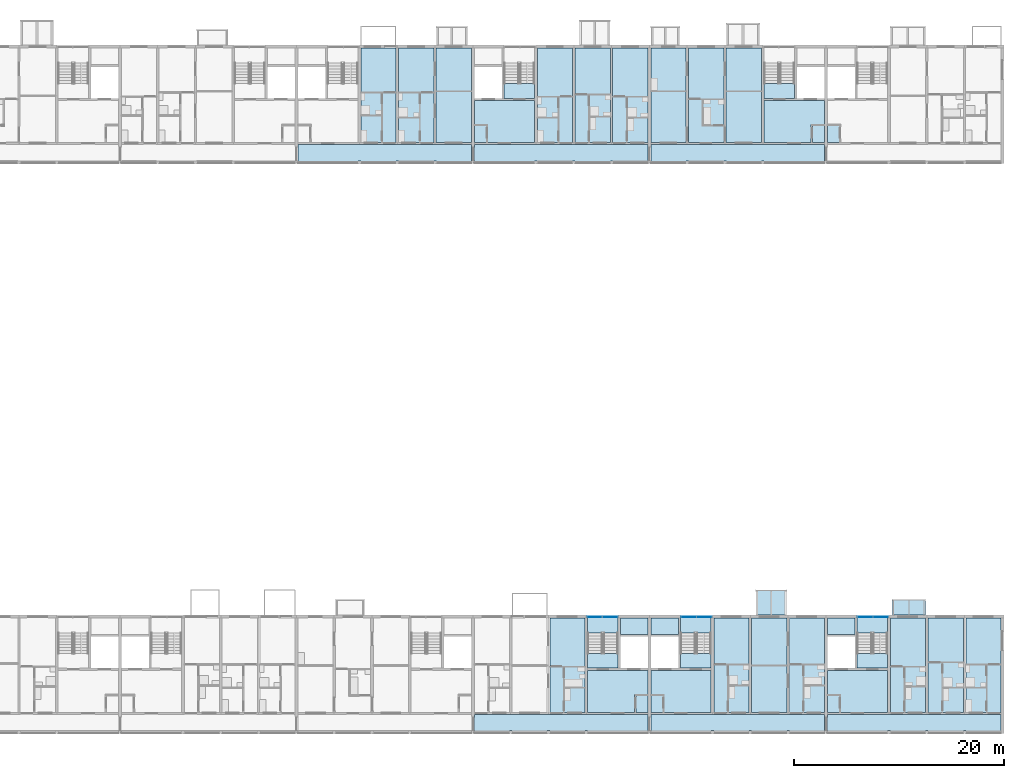
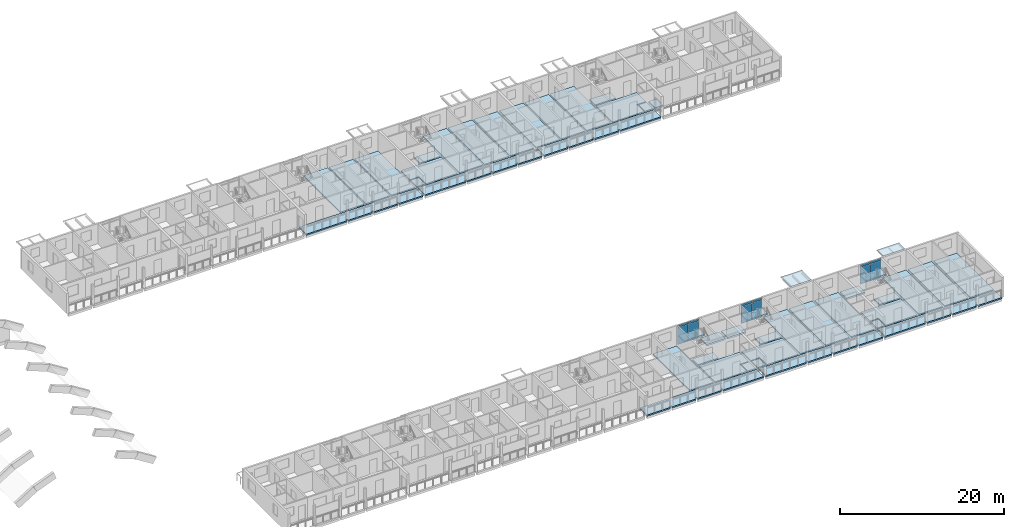
# One storey, part 26 of 99: 46 slabs, 12 plates, 6 elements without a shape of their own.
"""IFC4 building model written with IfcOpenShell, lengths in metres."""

from ifc_helpers import new_model, si_unit, direction, frame, origin, origin_2d, place, context, subcontext, project, spatial, polyline, rectangle, outline, extrude, material, layer, layer_set, type_object, element, aggregate, save


model = new_model("IFC4")

# Units and contexts
model_context = context("Model", 3, precision=1e-05, world=origin(), true_north=direction((0.0, 1.0)))
body_context = subcontext(model_context, "Body", "Model", "MODEL_VIEW")
ifc_project = project(units=[si_unit("LENGTHUNIT", "METRE"), si_unit("AREAUNIT", "SQUARE_METRE"), si_unit("VOLUMEUNIT", "CUBIC_METRE"), si_unit("PLANEANGLEUNIT", "RADIAN"), si_unit("MASSUNIT", "GRAM", prefix="KILO")], contexts=[model_context])

# Site, building, storey
site_placement = place(None, origin())
site = spatial("IfcSite", under=ifc_project, at=site_placement, CompositionType="ELEMENT")
building_placement = place(site_placement, origin())
building = spatial("IfcBuilding", under=site, at=building_placement, Name="Ridgestep Commons", CompositionType="ELEMENT")
storey_placement = place(building_placement, frame((0.0, 0.0, 15.0)))
storey = spatial("IfcBuildingStorey", under=building, at=storey_placement, Name="L05", CompositionType="ELEMENT", Elevation=15.0)

# Slabs
ifc_material_1 = material(Name="Precast concrete C40/50", Category="concrete")
ifc_layer_1 = layer(ifc_material_1, 0.199951171875)
ifc_layer_set_1 = layer_set([ifc_layer_1], Name="Gallery slab 200")
slab_type_1 = type_object("IfcSlabType", Name="Gallery slab 200", PredefinedType="FLOOR", material=ifc_layer_set_1)
slab_1_placement = place(storey_placement, frame((0.0, 0.0, -0.199951171875)))
element("IfcSlab", 1, at=slab_1_placement, inside=storey, type_object=slab_type_1, Name="Gallery slab C3 L05", PredefinedType="FLOOR", context=body_context, shape_type="SweptSolid", body=[
    extrude(outline(polyline([(197.050048828125, 67.800048828125), (180.550048828125, 67.800048828125), (180.550048828125, 66.0), (186.27490234375, 66.0), (186.27490234375, 66.25), (186.52490234375, 66.25), (186.52490234375, 66.0), (189.875, 66.0), (189.875, 66.25), (190.125, 66.25), (190.125, 66.0), (193.47509765625, 66.0), (193.47509765625, 66.25), (193.72509765625, 66.25), (193.72509765625, 66.0), (197.050048828125, 66.0), (197.050048828125, 67.800048828125)])), origin(), (0.0, 0.0, 1.0), 0.199951171875),
])
slab_2_placement = place(storey_placement, frame((0.0, 0.0, -0.199951171875)))
element("IfcSlab", 2, at=slab_2_placement, inside=storey, type_object=slab_type_1, Name="Gallery slab C4 L05", PredefinedType="FLOOR", context=body_context, shape_type="SweptSolid", body=[
    extrude(outline(polyline([(213.85009765625, 67.800048828125), (197.35009765625, 67.800048828125), (197.35009765625, 66.0), (203.074951171875, 66.0), (203.074951171875, 66.25), (203.324951171875, 66.25), (203.324951171875, 66.0), (206.675048828125, 66.0), (206.675048828125, 66.25), (206.925048828125, 66.25), (206.925048828125, 66.0), (210.27490234375, 66.0), (210.27490234375, 66.25), (210.52490234375, 66.25), (210.52490234375, 66.0), (213.85009765625, 66.0), (213.85009765625, 67.800048828125)])), origin(), (0.0, 0.0, 1.0), 0.199951171875),
])
slab_3_placement = place(storey_placement, frame((0.0, 0.0, -0.199951171875)))
element("IfcSlab", 3, at=slab_3_placement, inside=storey, type_object=slab_type_1, Name="Gallery slab C5 L05", PredefinedType="FLOOR", context=body_context, shape_type="SweptSolid", body=[
    extrude(outline(polyline([(230.64990234375, 67.800048828125), (214.14990234375, 67.800048828125), (214.14990234375, 66.0), (217.47509765625, 66.0), (217.47509765625, 66.25), (217.72509765625, 66.25), (217.72509765625, 66.0), (221.074951171875, 66.0), (221.074951171875, 66.25), (221.324951171875, 66.25), (221.324951171875, 66.0), (224.675048828125, 66.0), (224.675048828125, 66.25), (224.925048828125, 66.25), (224.925048828125, 66.0), (230.64990234375, 66.0), (230.64990234375, 67.800048828125)])), origin(), (0.0, 0.0, 1.0), 0.199951171875),
])
slab_4_placement = place(storey_placement, frame((0.0, 0.0, -0.199951171875)))
element("IfcSlab", 4, at=slab_4_placement, inside=storey, type_object=slab_type_1, Name="Gallery slab D4 L05", PredefinedType="FLOOR", context=body_context, shape_type="SweptSolid", body=[
    extrude(outline(polyline([(213.85009765625, 13.550048828125), (197.35009765625, 13.550048828125), (197.35009765625, 11.75), (200.675048828125, 11.75), (200.675048828125, 12.0), (200.925048828125, 12.0), (200.925048828125, 11.75), (204.27490234375, 11.75), (204.27490234375, 12.0), (204.52490234375, 12.0), (204.52490234375, 11.75), (207.875, 11.75), (207.875, 12.0), (208.125, 12.0), (208.125, 11.75), (213.85009765625, 11.75), (213.85009765625, 13.550048828125)])), origin(), (0.0, 0.0, 1.0), 0.199951171875),
])
slab_5_placement = place(storey_placement, frame((0.0, 0.0, -0.199951171875)))
element("IfcSlab", 5, at=slab_5_placement, inside=storey, type_object=slab_type_1, Name="Gallery slab D5 L05", PredefinedType="FLOOR", context=body_context, shape_type="SweptSolid", body=[
    extrude(outline(polyline([(230.64990234375, 13.550048828125), (214.14990234375, 13.550048828125), (214.14990234375, 11.75), (219.875, 11.75), (219.875, 12.0), (220.125, 12.0), (220.125, 11.75), (223.47509765625, 11.75), (223.47509765625, 12.0), (223.72509765625, 12.0), (223.72509765625, 11.75), (227.074951171875, 11.75), (227.074951171875, 12.0), (227.324951171875, 12.0), (227.324951171875, 11.75), (230.64990234375, 11.75), (230.64990234375, 13.550048828125)])), origin(), (0.0, 0.0, 1.0), 0.199951171875),
])
slab_6_placement = place(storey_placement, frame((0.0, 0.0, -0.199951171875)))
element("IfcSlab", 6, at=slab_6_placement, inside=storey, type_object=slab_type_1, Name="Gallery slab D6 L05", PredefinedType="FLOOR", context=body_context, shape_type="SweptSolid", body=[
    extrude(outline(polyline([(247.449951171875, 13.550048828125), (230.949951171875, 13.550048828125), (230.949951171875, 11.75), (236.675048828125, 11.75), (236.675048828125, 12.0), (236.925048828125, 12.0), (236.925048828125, 11.75), (240.27490234375, 11.75), (240.27490234375, 12.0), (240.52490234375, 12.0), (240.52490234375, 11.75), (243.875, 11.75), (243.875, 12.0), (244.125, 12.0), (244.125, 11.75), (247.449951171875, 11.75), (247.449951171875, 13.550048828125)])), origin(), (0.0, 0.0, 1.0), 0.199951171875),
])

# Curtain wall, plates
ifc_material_2 = material(Name="Aluminium 6063-T6 and glass", Category="aluminium")
curtain_wall_type = type_object("IfcCurtainWallType", Name="Curtain wall stair strip", PredefinedType="NOTDEFINED", material=ifc_material_2)
curtain_wall_1_placement = place(storey_placement, origin())
curtain_wall_1 = element("IfcCurtainWall", 7, at=curtain_wall_1_placement, inside=storey, type_object=curtain_wall_type, Name="Curtain wall D4C level 05", PredefinedType="NOTDEFINED")
ifc_material_3 = material(Name="Glass laminated 6/16/6 low-emissivity", Category="glass")
ifc_layer_2 = layer(ifc_material_3, 0.028076171875)
ifc_layer_set_2 = layer_set([ifc_layer_2], Name="Glazing panel 28")
plate_type_1 = type_object("IfcPlateType", Name="Glazing panel 28", PredefinedType="CURTAIN_PANEL", material=ifc_layer_set_2)
plate_1_placement = place(storey_placement, frame((208.771240234375, 22.830078125, 0.06005859375), z_axis=(0.0, 0.0, 1.0), x_axis=(1.0, 0.0, 0.0)))
plate_1 = element("IfcPlate", 8, at=plate_1_placement, type_object=plate_type_1, Name="CW1 panel 1.1", PredefinedType="CURTAIN_PANEL", context=body_context, shape_type="SweptSolid", body=[
    extrude(rectangle(XDim=1.422607421875, YDim=0.028076171875, at=origin_2d()), origin(), (0.0, 0.0, 1.0), 2.5),
])
plate_2_placement = place(storey_placement, frame((210.253662109375, 22.830078125, 0.06005859375), z_axis=(0.0, 0.0, 1.0), x_axis=(1.0, 0.0, 0.0)))
plate_2 = element("IfcPlate", 9, at=plate_2_placement, type_object=plate_type_1, Name="CW1 panel 2.1", PredefinedType="CURTAIN_PANEL", context=body_context, shape_type="SweptSolid", body=[
    extrude(rectangle(XDim=1.422607421875, YDim=0.028076171875, at=origin_2d()), origin(), (0.0, 0.0, 1.0), 2.5),
])

curtain_wall_2_placement = place(storey_placement, origin())
curtain_wall_2 = element("IfcCurtainWall", 10, at=curtain_wall_2_placement, inside=storey, type_object=curtain_wall_type, Name="Curtain wall D5C level 05", PredefinedType="NOTDEFINED")
plate_3_placement = place(storey_placement, frame((217.746337890625, 22.830078125, 0.06005859375), z_axis=(0.0, 0.0, 1.0), x_axis=(1.0, 0.0, 0.0)))
plate_3 = element("IfcPlate", 11, at=plate_3_placement, type_object=plate_type_1, Name="CW1 panel 1.1", PredefinedType="CURTAIN_PANEL", context=body_context, shape_type="SweptSolid", body=[
    extrude(rectangle(XDim=1.422607421875, YDim=0.028076171875, at=origin_2d()), origin(), (0.0, 0.0, 1.0), 2.5),
])
plate_4_placement = place(storey_placement, frame((219.228759765625, 22.830078125, 0.06005859375), z_axis=(0.0, 0.0, 1.0), x_axis=(1.0, 0.0, 0.0)))
plate_4 = element("IfcPlate", 12, at=plate_4_placement, type_object=plate_type_1, Name="CW1 panel 2.1", PredefinedType="CURTAIN_PANEL", context=body_context, shape_type="SweptSolid", body=[
    extrude(rectangle(XDim=1.422607421875, YDim=0.028076171875, at=origin_2d()), origin(), (0.0, 0.0, 1.0), 2.5),
])

curtain_wall_3_placement = place(storey_placement, origin())
curtain_wall_3 = element("IfcCurtainWall", 13, at=curtain_wall_3_placement, inside=storey, type_object=curtain_wall_type, Name="Curtain wall D6C level 05", PredefinedType="NOTDEFINED")
plate_5_placement = place(storey_placement, frame((234.546142578125, 22.830078125, 0.06005859375), z_axis=(0.0, 0.0, 1.0), x_axis=(1.0, 0.0, 0.0)))
plate_5 = element("IfcPlate", 14, at=plate_5_placement, type_object=plate_type_1, Name="CW1 panel 1.1", PredefinedType="CURTAIN_PANEL", context=body_context, shape_type="SweptSolid", body=[
    extrude(rectangle(XDim=1.422607421875, YDim=0.028076171875, at=origin_2d()), origin(), (0.0, 0.0, 1.0), 2.5),
])
plate_6_placement = place(storey_placement, frame((236.02880859375, 22.830078125, 0.06005859375), z_axis=(0.0, 0.0, 1.0), x_axis=(1.0, 0.0, 0.0)))
plate_6 = element("IfcPlate", 15, at=plate_6_placement, type_object=plate_type_1, Name="CW1 panel 2.1", PredefinedType="CURTAIN_PANEL", context=body_context, shape_type="SweptSolid", body=[
    extrude(rectangle(XDim=1.422607421875, YDim=0.028076171875, at=origin_2d()), origin(), (0.0, 0.0, 1.0), 2.5),
])

# Slabs
ifc_material_4 = material(Name="Precast concrete C50/60", Category="concrete")
ifc_layer_3 = layer(ifc_material_4, 0.199951171875)
ifc_layer_set_3 = layer_set([ifc_layer_3], Name="Hollow-core plank 200")
slab_type_2 = type_object("IfcSlabType", Name="Hollow-core plank 200", PredefinedType="FLOOR", material=ifc_layer_set_3)
slab_7_placement = place(storey_placement, frame((0.0, 0.0, -0.199951171875)))
element("IfcSlab", 16, at=slab_7_placement, inside=storey, type_object=slab_type_2, Name="Floor plank C3T3 L05", PredefinedType="FLOOR", context=body_context, shape_type="SweptSolid", body=[
    extrude(outline(polyline([(189.89990234375, 68.0), (189.89990234375, 77.0), (186.52490234375, 77.0), (186.52490234375, 68.0), (189.89990234375, 68.0)])), origin(), (0.0, 0.0, 1.0), 0.199951171875),
])
slab_8_placement = place(storey_placement, frame((0.0, 0.0, -0.199951171875)))
element("IfcSlab", 17, at=slab_8_placement, inside=storey, type_object=slab_type_2, Name="Floor plank C3T2 L05", PredefinedType="FLOOR", context=body_context, shape_type="SweptSolid", body=[
    extrude(outline(polyline([(193.5, 68.0), (193.5, 77.0), (190.10009765625, 77.0), (190.10009765625, 68.0), (193.5, 68.0)])), origin(), (0.0, 0.0, 1.0), 0.199951171875),
])
slab_9_placement = place(storey_placement, frame((0.0, 0.0, -0.199951171875)))
element("IfcSlab", 18, at=slab_9_placement, inside=storey, type_object=slab_type_2, Name="Floor plank C3T1 L05", PredefinedType="FLOOR", context=body_context, shape_type="SweptSolid", body=[
    extrude(outline(polyline([(197.050048828125, 68.0), (197.050048828125, 77.0), (193.699951171875, 77.0), (193.699951171875, 68.0), (197.050048828125, 68.0)])), origin(), (0.0, 0.0, 1.0), 0.199951171875),
])
slab_10_placement = place(storey_placement, frame((0.0, 0.0, -0.199951171875)))
element("IfcSlab", 19, at=slab_10_placement, inside=storey, type_object=slab_type_2, Name="Floor plank C4T3 L05", PredefinedType="FLOOR", context=body_context, shape_type="SweptSolid", body=[
    extrude(outline(polyline([(206.699951171875, 68.0), (206.699951171875, 77.0), (203.324951171875, 77.0), (203.324951171875, 68.0), (206.699951171875, 68.0)])), origin(), (0.0, 0.0, 1.0), 0.199951171875),
])
slab_11_placement = place(storey_placement, frame((0.0, 0.0, -0.199951171875)))
element("IfcSlab", 20, at=slab_11_placement, inside=storey, type_object=slab_type_2, Name="Floor plank C4T2 L05", PredefinedType="FLOOR", context=body_context, shape_type="SweptSolid", body=[
    extrude(outline(polyline([(210.300048828125, 68.0), (210.300048828125, 77.0), (206.89990234375, 77.0), (206.89990234375, 68.0), (210.300048828125, 68.0)])), origin(), (0.0, 0.0, 1.0), 0.199951171875),
])
slab_12_placement = place(storey_placement, frame((0.0, 0.0, -0.199951171875)))
element("IfcSlab", 21, at=slab_12_placement, inside=storey, type_object=slab_type_2, Name="Floor plank C4T1 L05", PredefinedType="FLOOR", context=body_context, shape_type="SweptSolid", body=[
    extrude(outline(polyline([(213.85009765625, 68.0), (213.85009765625, 77.0), (210.5, 77.0), (210.5, 68.0), (213.85009765625, 68.0)])), origin(), (0.0, 0.0, 1.0), 0.199951171875),
])
slab_13_placement = place(storey_placement, frame((0.0, 0.0, -0.199951171875)))
element("IfcSlab", 22, at=slab_13_placement, inside=storey, type_object=slab_type_2, Name="Floor plank C5T1 L05", PredefinedType="FLOOR", context=body_context, shape_type="SweptSolid", body=[
    extrude(outline(polyline([(217.5, 68.0), (217.5, 77.0), (214.14990234375, 77.0), (214.14990234375, 68.0), (217.5, 68.0)])), origin(), (0.0, 0.0, 1.0), 0.199951171875),
])
slab_14_placement = place(storey_placement, frame((0.0, 0.0, -0.199951171875)))
element("IfcSlab", 23, at=slab_14_placement, inside=storey, type_object=slab_type_2, Name="Floor plank C5T2 L05", PredefinedType="FLOOR", context=body_context, shape_type="SweptSolid", body=[
    extrude(outline(polyline([(221.10009765625, 68.0), (221.10009765625, 77.0), (217.699951171875, 77.0), (217.699951171875, 68.0), (221.10009765625, 68.0)])), origin(), (0.0, 0.0, 1.0), 0.199951171875),
])
slab_15_placement = place(storey_placement, frame((0.0, 0.0, -0.199951171875)))
element("IfcSlab", 24, at=slab_15_placement, inside=storey, type_object=slab_type_2, Name="Floor plank C5T3 L05", PredefinedType="FLOOR", context=body_context, shape_type="SweptSolid", body=[
    extrude(outline(polyline([(224.675048828125, 68.0), (224.675048828125, 77.0), (221.300048828125, 77.0), (221.300048828125, 68.0), (224.675048828125, 68.0)])), origin(), (0.0, 0.0, 1.0), 0.199951171875),
])
slab_16_placement = place(storey_placement, frame((0.0, 0.0, -0.199951171875)))
element("IfcSlab", 25, at=slab_16_placement, inside=storey, type_object=slab_type_2, Name="Floor plank D4T3 L05", PredefinedType="FLOOR", context=body_context, shape_type="SweptSolid", body=[
    extrude(outline(polyline([(207.875, 13.75), (207.875, 22.75), (204.52490234375, 22.75), (204.52490234375, 13.75), (207.875, 13.75)])), origin(), (0.0, 0.0, 1.0), 0.199951171875),
])
slab_17_placement = place(storey_placement, frame((0.0, 0.0, -0.199951171875)))
element("IfcSlab", 26, at=slab_17_placement, inside=storey, type_object=slab_type_2, Name="Floor plank D5T3 L05", PredefinedType="FLOOR", context=body_context, shape_type="SweptSolid", body=[
    extrude(outline(polyline([(223.47509765625, 13.75), (223.47509765625, 22.75), (220.125, 22.75), (220.125, 13.75), (223.47509765625, 13.75)])), origin(), (0.0, 0.0, 1.0), 0.199951171875),
])
slab_18_placement = place(storey_placement, frame((0.0, 0.0, -0.199951171875)))
element("IfcSlab", 27, at=slab_18_placement, inside=storey, type_object=slab_type_2, Name="Floor plank D5T2 L05", PredefinedType="FLOOR", context=body_context, shape_type="SweptSolid", body=[
    extrude(outline(polyline([(227.074951171875, 13.75), (227.074951171875, 22.75), (223.72509765625, 22.75), (223.72509765625, 13.75), (227.074951171875, 13.75)])), origin(), (0.0, 0.0, 1.0), 0.199951171875),
])
slab_19_placement = place(storey_placement, frame((0.0, 0.0, -0.199951171875)))
element("IfcSlab", 28, at=slab_19_placement, inside=storey, type_object=slab_type_2, Name="Floor plank D5T1 L05", PredefinedType="FLOOR", context=body_context, shape_type="SweptSolid", body=[
    extrude(outline(polyline([(230.64990234375, 13.75), (230.64990234375, 22.75), (227.324951171875, 22.75), (227.324951171875, 13.75), (230.64990234375, 13.75)])), origin(), (0.0, 0.0, 1.0), 0.199951171875),
])
slab_20_placement = place(storey_placement, frame((0.0, 0.0, -0.199951171875)))
element("IfcSlab", 29, at=slab_20_placement, inside=storey, type_object=slab_type_2, Name="Floor plank D6T3 L05", PredefinedType="FLOOR", context=body_context, shape_type="SweptSolid", body=[
    extrude(outline(polyline([(240.27490234375, 13.75), (240.27490234375, 22.75), (236.925048828125, 22.75), (236.925048828125, 13.75), (240.27490234375, 13.75)])), origin(), (0.0, 0.0, 1.0), 0.199951171875),
])
slab_21_placement = place(storey_placement, frame((0.0, 0.0, -0.199951171875)))
element("IfcSlab", 30, at=slab_21_placement, inside=storey, type_object=slab_type_2, Name="Floor plank D6T2 L05", PredefinedType="FLOOR", context=body_context, shape_type="SweptSolid", body=[
    extrude(outline(polyline([(243.875, 13.75), (243.875, 22.75), (240.52490234375, 22.75), (240.52490234375, 13.75), (243.875, 13.75)])), origin(), (0.0, 0.0, 1.0), 0.199951171875),
])
slab_22_placement = place(storey_placement, frame((0.0, 0.0, -0.199951171875)))
element("IfcSlab", 31, at=slab_22_placement, inside=storey, type_object=slab_type_2, Name="Floor plank D6T1 L05", PredefinedType="FLOOR", context=body_context, shape_type="SweptSolid", body=[
    extrude(outline(polyline([(247.449951171875, 13.75), (247.449951171875, 22.75), (244.125, 22.75), (244.125, 13.75), (247.449951171875, 13.75)])), origin(), (0.0, 0.0, 1.0), 0.199951171875),
])
ifc_material_5 = material(Name="Precast concrete C50/60", Category="concrete")
ifc_layer_4 = layer(ifc_material_5, 0.25)
ifc_layer_set_4 = layer_set([ifc_layer_4], Name="Hollow-core plank 250")
slab_type_3 = type_object("IfcSlabType", Name="Hollow-core plank 250", PredefinedType="FLOOR", material=ifc_layer_set_4)
slab_23_placement = place(storey_placement, frame((0.0, 0.0, -0.25)))
element("IfcSlab", 32, at=slab_23_placement, inside=storey, type_object=slab_type_3, Name="Floor plank C4C L05", PredefinedType="FLOOR", context=body_context, shape_type="SweptSolid", body=[
    extrude(outline(polyline([(198.60009765625, 68.0), (203.074951171875, 68.0), (203.074951171875, 72.0), (197.35009765625, 72.0), (197.35009765625, 69.719970703125), (198.47998046875, 69.719970703125), (198.60009765625, 69.719970703125), (198.60009765625, 68.0)])), origin(), (0.0, 0.0, 1.0), 0.25),
])
slab_24_placement = place(storey_placement, frame((0.0, 0.0, -0.25)))
element("IfcSlab", 33, at=slab_24_placement, inside=storey, type_object=slab_type_3, Name="Floor plank C4C L05", PredefinedType="FLOOR", context=body_context, shape_type="SweptSolid", body=[
    extrude(outline(polyline([(203.074951171875, 72.199951171875), (203.074951171875, 73.60009765625), (200.175048828125, 73.60009765625), (200.175048828125, 72.199951171875), (203.074951171875, 72.199951171875)])), origin(), (0.0, 0.0, 1.0), 0.25),
])
slab_25_placement = place(storey_placement, frame((0.0, 0.0, -0.25)))
element("IfcSlab", 34, at=slab_25_placement, inside=storey, type_object=slab_type_3, Name="Floor plank C4C L05", PredefinedType="FLOOR", context=body_context, shape_type="SweptSolid", body=[
    extrude(outline(polyline([(198.47998046875, 69.60009765625), (197.35009765625, 69.60009765625), (197.35009765625, 68.0), (198.47998046875, 68.0), (198.47998046875, 69.60009765625)])), origin(), (0.0, 0.0, 1.0), 0.25),
])
slab_26_placement = place(storey_placement, frame((0.0, 0.0, -0.25)))
element("IfcSlab", 35, at=slab_26_placement, inside=storey, type_object=slab_type_3, Name="Floor plank C5C L05", PredefinedType="FLOOR", context=body_context, shape_type="SweptSolid", body=[
    extrude(outline(polyline([(229.52001953125, 69.719970703125), (230.64990234375, 69.719970703125), (230.64990234375, 72.0), (224.925048828125, 72.0), (224.925048828125, 68.0), (229.39990234375, 68.0), (229.39990234375, 69.719970703125), (229.52001953125, 69.719970703125)])), origin(), (0.0, 0.0, 1.0), 0.25),
])
slab_27_placement = place(storey_placement, frame((0.0, 0.0, -0.25)))
element("IfcSlab", 36, at=slab_27_placement, inside=storey, type_object=slab_type_3, Name="Floor plank C5C L05", PredefinedType="FLOOR", context=body_context, shape_type="SweptSolid", body=[
    extrude(outline(polyline([(227.824951171875, 72.199951171875), (227.824951171875, 73.60009765625), (224.925048828125, 73.60009765625), (224.925048828125, 72.199951171875), (227.824951171875, 72.199951171875)])), origin(), (0.0, 0.0, 1.0), 0.25),
])
slab_28_placement = place(storey_placement, frame((0.0, 0.0, -0.25)))
element("IfcSlab", 37, at=slab_28_placement, inside=storey, type_object=slab_type_3, Name="Floor plank C5C L05", PredefinedType="FLOOR", context=body_context, shape_type="SweptSolid", body=[
    extrude(outline(polyline([(229.52001953125, 68.0), (230.64990234375, 68.0), (230.64990234375, 69.60009765625), (229.52001953125, 69.60009765625), (229.52001953125, 68.0)])), origin(), (0.0, 0.0, 1.0), 0.25),
])
slab_29_placement = place(storey_placement, frame((0.0, 0.0, -0.25)))
element("IfcSlab", 38, at=slab_29_placement, inside=storey, type_object=slab_type_3, Name="Floor plank C6C L05", PredefinedType="FLOOR", context=body_context, shape_type="SweptSolid", body=[
    extrude(outline(polyline([(232.080078125, 69.60009765625), (230.949951171875, 69.60009765625), (230.949951171875, 68.0), (232.080078125, 68.0), (232.080078125, 69.60009765625)])), origin(), (0.0, 0.0, 1.0), 0.25),
])
slab_30_placement = place(storey_placement, frame((0.0, 0.0, -0.25)))
element("IfcSlab", 39, at=slab_30_placement, inside=storey, type_object=slab_type_3, Name="Floor plank D4C L05", PredefinedType="FLOOR", context=body_context, shape_type="SweptSolid", body=[
    extrude(outline(polyline([(212.719970703125, 15.469970703125), (213.85009765625, 15.469970703125), (213.85009765625, 17.75), (208.125, 17.75), (208.125, 13.75), (212.60009765625, 13.75), (212.60009765625, 15.469970703125), (212.719970703125, 15.469970703125)])), origin(), (0.0, 0.0, 1.0), 0.25),
])
slab_31_placement = place(storey_placement, frame((0.0, 0.0, -0.25)))
element("IfcSlab", 40, at=slab_31_placement, inside=storey, type_object=slab_type_3, Name="Floor plank D4C L05", PredefinedType="FLOOR", context=body_context, shape_type="SweptSolid", body=[
    extrude(outline(polyline([(213.85009765625, 21.14990234375), (213.85009765625, 22.75), (211.22509765625, 22.75), (211.22509765625, 21.14990234375), (213.85009765625, 21.14990234375)])), origin(), (0.0, 0.0, 1.0), 0.25),
])
slab_32_placement = place(storey_placement, frame((0.0, 0.0, -0.25)))
element("IfcSlab", 41, at=slab_32_placement, inside=storey, type_object=slab_type_3, Name="Floor plank D4C L05", PredefinedType="FLOOR", context=body_context, shape_type="SweptSolid", body=[
    extrude(outline(polyline([(211.02490234375, 17.949951171875), (211.02490234375, 19.35009765625), (208.125, 19.35009765625), (208.125, 17.949951171875), (211.02490234375, 17.949951171875)])), origin(), (0.0, 0.0, 1.0), 0.25),
])
slab_33_placement = place(storey_placement, frame((0.0, 0.0, -0.25)))
element("IfcSlab", 42, at=slab_33_placement, inside=storey, type_object=slab_type_3, Name="Floor plank D4C L05", PredefinedType="FLOOR", context=body_context, shape_type="SweptSolid", body=[
    extrude(outline(polyline([(212.719970703125, 13.75), (213.85009765625, 13.75), (213.85009765625, 15.35009765625), (212.719970703125, 15.35009765625), (212.719970703125, 13.75)])), origin(), (0.0, 0.0, 1.0), 0.25),
])
slab_34_placement = place(storey_placement, frame((0.0, 0.0, -0.25)))
element("IfcSlab", 43, at=slab_34_placement, inside=storey, type_object=slab_type_3, Name="Floor plank D5C L05", PredefinedType="FLOOR", context=body_context, shape_type="SweptSolid", body=[
    extrude(outline(polyline([(215.39990234375, 13.75), (219.875, 13.75), (219.875, 17.75), (214.14990234375, 17.75), (214.14990234375, 15.469970703125), (215.280029296875, 15.469970703125), (215.39990234375, 15.469970703125), (215.39990234375, 13.75)])), origin(), (0.0, 0.0, 1.0), 0.25),
])
slab_35_placement = place(storey_placement, frame((0.0, 0.0, -0.25)))
element("IfcSlab", 44, at=slab_35_placement, inside=storey, type_object=slab_type_3, Name="Floor plank D5C L05", PredefinedType="FLOOR", context=body_context, shape_type="SweptSolid", body=[
    extrude(outline(polyline([(216.77490234375, 22.75), (214.14990234375, 22.75), (214.14990234375, 21.14990234375), (216.77490234375, 21.14990234375), (216.77490234375, 22.75)])), origin(), (0.0, 0.0, 1.0), 0.25),
])
slab_36_placement = place(storey_placement, frame((0.0, 0.0, -0.25)))
element("IfcSlab", 45, at=slab_36_placement, inside=storey, type_object=slab_type_3, Name="Floor plank D5C L05", PredefinedType="FLOOR", context=body_context, shape_type="SweptSolid", body=[
    extrude(outline(polyline([(219.875, 17.949951171875), (219.875, 19.35009765625), (216.97509765625, 19.35009765625), (216.97509765625, 17.949951171875), (219.875, 17.949951171875)])), origin(), (0.0, 0.0, 1.0), 0.25),
])
slab_37_placement = place(storey_placement, frame((0.0, 0.0, -0.25)))
element("IfcSlab", 46, at=slab_37_placement, inside=storey, type_object=slab_type_3, Name="Floor plank D5C L05", PredefinedType="FLOOR", context=body_context, shape_type="SweptSolid", body=[
    extrude(outline(polyline([(215.280029296875, 15.35009765625), (214.14990234375, 15.35009765625), (214.14990234375, 13.75), (215.280029296875, 13.75), (215.280029296875, 15.35009765625)])), origin(), (0.0, 0.0, 1.0), 0.25),
])
slab_38_placement = place(storey_placement, frame((0.0, 0.0, -0.25)))
element("IfcSlab", 47, at=slab_38_placement, inside=storey, type_object=slab_type_3, Name="Floor plank D6C L05", PredefinedType="FLOOR", context=body_context, shape_type="SweptSolid", body=[
    extrude(outline(polyline([(232.199951171875, 13.75), (236.675048828125, 13.75), (236.675048828125, 17.75), (230.949951171875, 17.75), (230.949951171875, 15.469970703125), (232.080078125, 15.469970703125), (232.199951171875, 15.469970703125), (232.199951171875, 13.75)])), origin(), (0.0, 0.0, 1.0), 0.25),
])
slab_39_placement = place(storey_placement, frame((0.0, 0.0, -0.25)))
element("IfcSlab", 48, at=slab_39_placement, inside=storey, type_object=slab_type_3, Name="Floor plank D6C L05", PredefinedType="FLOOR", context=body_context, shape_type="SweptSolid", body=[
    extrude(outline(polyline([(233.574951171875, 22.75), (230.949951171875, 22.75), (230.949951171875, 21.14990234375), (233.574951171875, 21.14990234375), (233.574951171875, 22.75)])), origin(), (0.0, 0.0, 1.0), 0.25),
])
slab_40_placement = place(storey_placement, frame((0.0, 0.0, -0.25)))
element("IfcSlab", 49, at=slab_40_placement, inside=storey, type_object=slab_type_3, Name="Floor plank D6C L05", PredefinedType="FLOOR", context=body_context, shape_type="SweptSolid", body=[
    extrude(outline(polyline([(236.675048828125, 17.949951171875), (236.675048828125, 19.35009765625), (233.77490234375, 19.35009765625), (233.77490234375, 17.949951171875), (236.675048828125, 17.949951171875)])), origin(), (0.0, 0.0, 1.0), 0.25),
])
slab_41_placement = place(storey_placement, frame((0.0, 0.0, -0.25)))
element("IfcSlab", 50, at=slab_41_placement, inside=storey, type_object=slab_type_3, Name="Floor plank D6C L05", PredefinedType="FLOOR", context=body_context, shape_type="SweptSolid", body=[
    extrude(outline(polyline([(232.080078125, 15.35009765625), (230.949951171875, 15.35009765625), (230.949951171875, 13.75), (232.080078125, 13.75), (232.080078125, 15.35009765625)])), origin(), (0.0, 0.0, 1.0), 0.25),
])

# Plate
ifc_material_6 = material(Name="Aluminium 6063-T6 and mineral wool", Category="aluminium")
ifc_layer_5 = layer(ifc_material_6, 0.0400390625)
ifc_layer_set_5 = layer_set([ifc_layer_5], Name="Spandrel panel 40")
plate_type_2 = type_object("IfcPlateType", Name="Spandrel panel 40", PredefinedType="CURTAIN_PANEL", material=ifc_layer_set_5)
plate_7_placement = place(storey_placement, frame((208.771240234375, 22.830078125, 2.6201171875), z_axis=(0.0, 0.0, 1.0), x_axis=(1.0, 0.0, 0.0)))
plate_7 = element("IfcPlate", 51, at=plate_7_placement, type_object=plate_type_2, Name="CW1 panel 1.2", PredefinedType="CURTAIN_PANEL", context=body_context, shape_type="SweptSolid", body=[
    extrude(rectangle(XDim=1.422607421875, YDim=0.0400390625, at=origin_2d()), origin(), (0.0, 0.0, 1.0), 0.320068359375),
])

plate_8_placement = place(storey_placement, frame((210.253662109375, 22.830078125, 2.6201171875), z_axis=(0.0, 0.0, 1.0), x_axis=(1.0, 0.0, 0.0)))
plate_8 = element("IfcPlate", 52, at=plate_8_placement, type_object=plate_type_2, Name="CW1 panel 2.2", PredefinedType="CURTAIN_PANEL", context=body_context, shape_type="SweptSolid", body=[
    extrude(rectangle(XDim=1.422607421875, YDim=0.0400390625, at=origin_2d()), origin(), (0.0, 0.0, 1.0), 0.320068359375),
])

aggregate(curtain_wall_1, [plate_1, plate_7, plate_2, plate_8])

plate_9_placement = place(storey_placement, frame((217.746337890625, 22.830078125, 2.6201171875), z_axis=(0.0, 0.0, 1.0), x_axis=(1.0, 0.0, 0.0)))
plate_9 = element("IfcPlate", 53, at=plate_9_placement, type_object=plate_type_2, Name="CW1 panel 1.2", PredefinedType="CURTAIN_PANEL", context=body_context, shape_type="SweptSolid", body=[
    extrude(rectangle(XDim=1.422607421875, YDim=0.0400390625, at=origin_2d()), origin(), (0.0, 0.0, 1.0), 0.320068359375),
])

plate_10_placement = place(storey_placement, frame((219.228759765625, 22.830078125, 2.6201171875), z_axis=(0.0, 0.0, 1.0), x_axis=(1.0, 0.0, 0.0)))
plate_10 = element("IfcPlate", 54, at=plate_10_placement, type_object=plate_type_2, Name="CW1 panel 2.2", PredefinedType="CURTAIN_PANEL", context=body_context, shape_type="SweptSolid", body=[
    extrude(rectangle(XDim=1.422607421875, YDim=0.0400390625, at=origin_2d()), origin(), (0.0, 0.0, 1.0), 0.320068359375),
])

aggregate(curtain_wall_2, [plate_3, plate_9, plate_4, plate_10])

plate_11_placement = place(storey_placement, frame((234.546142578125, 22.830078125, 2.6201171875), z_axis=(0.0, 0.0, 1.0), x_axis=(1.0, 0.0, 0.0)))
plate_11 = element("IfcPlate", 55, at=plate_11_placement, type_object=plate_type_2, Name="CW1 panel 1.2", PredefinedType="CURTAIN_PANEL", context=body_context, shape_type="SweptSolid", body=[
    extrude(rectangle(XDim=1.422607421875, YDim=0.0400390625, at=origin_2d()), origin(), (0.0, 0.0, 1.0), 0.320068359375),
])

plate_12_placement = place(storey_placement, frame((236.02880859375, 22.830078125, 2.6201171875), z_axis=(0.0, 0.0, 1.0), x_axis=(1.0, 0.0, 0.0)))
plate_12 = element("IfcPlate", 56, at=plate_12_placement, type_object=plate_type_2, Name="CW1 panel 2.2", PredefinedType="CURTAIN_PANEL", context=body_context, shape_type="SweptSolid", body=[
    extrude(rectangle(XDim=1.422607421875, YDim=0.0400390625, at=origin_2d()), origin(), (0.0, 0.0, 1.0), 0.320068359375),
])

aggregate(curtain_wall_3, [plate_5, plate_11, plate_6, plate_12])

# Stair, slab
ifc_material_7 = material(Name="Precast concrete C40/50", Category="concrete")
stair_type = type_object("IfcStairType", Name="Escape stair 1400", PredefinedType="HALF_TURN_STAIR", material=ifc_material_7)
stair_1_placement = place(storey_placement, origin())
stair_1 = element("IfcStair", 57, at=stair_1_placement, inside=storey, type_object=stair_type, Name="L05 Escape stair D4C", PredefinedType="HALF_TURN_STAIR")
ifc_material_8 = material(Name="Precast concrete C40/50", Category="concrete")
ifc_layer_6 = layer(ifc_material_8, 0.199951171875)
ifc_layer_set_6 = layer_set([ifc_layer_6], Name="Stair landing 200")
slab_type_4 = type_object("IfcSlabType", Name="Stair landing 200", PredefinedType="LANDING", material=ifc_layer_set_6)
slab_42_placement = place(storey_placement, frame((0.0, 0.0, 1.300048828125)))
slab_42 = element("IfcSlab", 58, at=slab_42_placement, type_object=slab_type_4, Name="D4C landing 1", PredefinedType="LANDING", context=body_context, shape_type="SweptSolid", body=[
    extrude(outline(polyline([(211.02490234375, 21.31005859375), (211.02490234375, 22.75), (208.125, 22.75), (208.125, 21.31005859375), (211.02490234375, 21.31005859375)])), origin(), (0.0, 0.0, 1.0), 0.199951171875),
])
aggregate(stair_1, [slab_42])

stair_2_placement = place(storey_placement, origin())
stair_2 = element("IfcStair", 59, at=stair_2_placement, inside=storey, type_object=stair_type, Name="L05 Escape stair D5C", PredefinedType="HALF_TURN_STAIR")
slab_43_placement = place(storey_placement, frame((0.0, 0.0, 1.300048828125)))
slab_43 = element("IfcSlab", 60, at=slab_43_placement, type_object=slab_type_4, Name="D5C landing 1", PredefinedType="LANDING", context=body_context, shape_type="SweptSolid", body=[
    extrude(outline(polyline([(219.875, 21.31005859375), (219.875, 22.75), (216.97509765625, 22.75), (216.97509765625, 21.31005859375), (219.875, 21.31005859375)])), origin(), (0.0, 0.0, 1.0), 0.199951171875),
])
aggregate(stair_2, [slab_43])

stair_3_placement = place(storey_placement, origin())
stair_3 = element("IfcStair", 61, at=stair_3_placement, inside=storey, type_object=stair_type, Name="L05 Escape stair D6C", PredefinedType="HALF_TURN_STAIR")
slab_44_placement = place(storey_placement, frame((0.0, 0.0, 1.300048828125)))
slab_44 = element("IfcSlab", 62, at=slab_44_placement, type_object=slab_type_4, Name="D6C landing 1", PredefinedType="LANDING", context=body_context, shape_type="SweptSolid", body=[
    extrude(outline(polyline([(236.675048828125, 21.31005859375), (236.675048828125, 22.75), (233.77490234375, 22.75), (233.77490234375, 21.31005859375), (236.675048828125, 21.31005859375)])), origin(), (0.0, 0.0, 1.0), 0.199951171875),
])
aggregate(stair_3, [slab_44])

# Slabs
ifc_material_9 = material(Name="Weathering steel S355J2W", Category="steel")
ifc_layer_7 = layer(ifc_material_9, 0.010009765625)
ifc_layer_set_7 = layer_set([ifc_layer_7], Name="Tray 3.0 x 2.4")
slab_type_5 = type_object("IfcSlabType", Name="Tray 3.0 x 2.4", PredefinedType="FLOOR", material=ifc_layer_set_7)
slab_45_placement = place(storey_placement, frame((0.0, 0.0, 2.989990234375)))
element("IfcSlab", 63, at=slab_45_placement, inside=storey, type_object=slab_type_5, Name="Tray deck D5T2-06", PredefinedType="FLOOR", context=body_context, shape_type="SweptSolid", body=[
    extrude(outline(polyline([(224.1298828125, 23.0), (227.070068359375, 23.0), (227.070068359375, 25.39990234375), (224.1298828125, 25.39990234375), (224.1298828125, 23.0)])), origin(), (0.0, 0.0, 1.0), 0.010009765625),
])
ifc_material_10 = material(Name="Weathering steel S355J2W", Category="steel")
ifc_layer_8 = layer(ifc_material_10, 0.010009765625)
ifc_layer_set_8 = layer_set([ifc_layer_8], Name="Tray 3.2 x 1.5")
slab_type_6 = type_object("IfcSlabType", Name="Tray 3.2 x 1.5", PredefinedType="FLOOR", material=ifc_layer_set_8)
slab_46_placement = place(storey_placement, frame((0.0, 0.0, 2.989990234375)))
element("IfcSlab", 64, at=slab_46_placement, inside=storey, type_object=slab_type_6, Name="Tray deck D6T3-06", PredefinedType="FLOOR", context=body_context, shape_type="SweptSolid", body=[
    extrude(outline(polyline([(237.1298828125, 23.0), (240.27001953125, 23.0), (240.27001953125, 24.5), (237.1298828125, 24.5), (237.1298828125, 23.0)])), origin(), (0.0, 0.0, 1.0), 0.010009765625),
])

save(model, "model.ifc")
